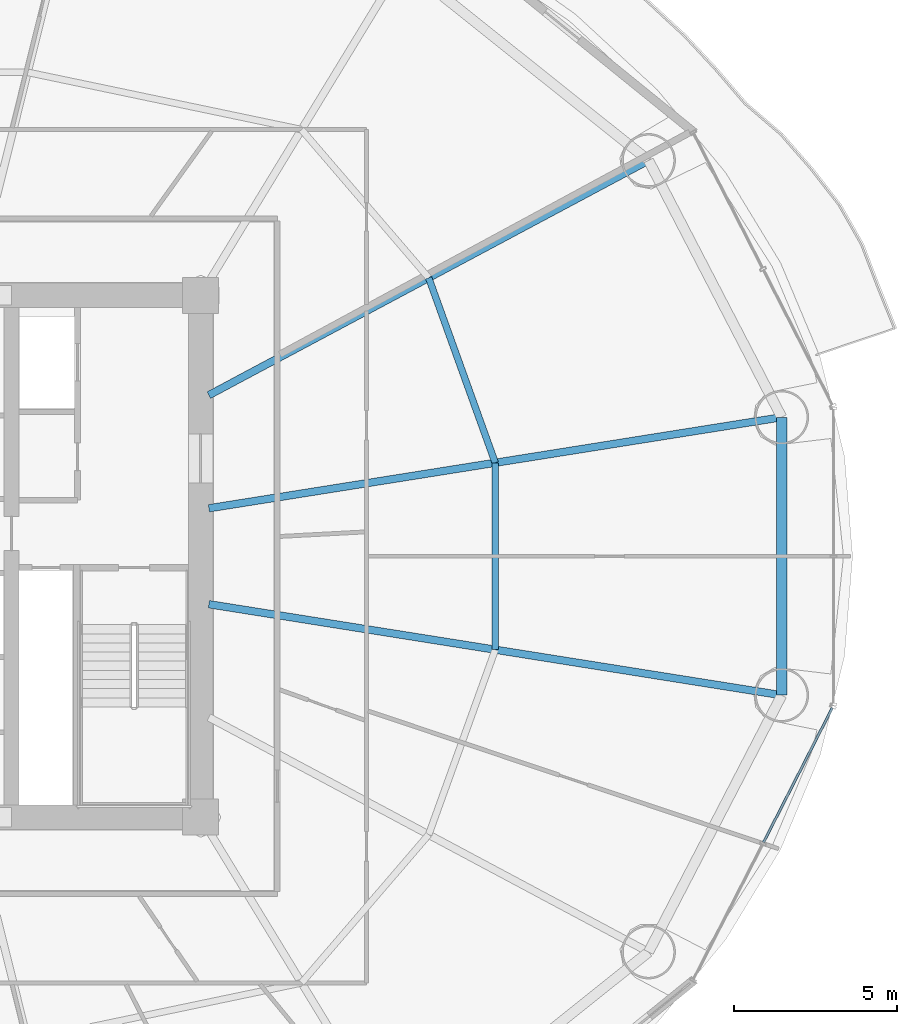
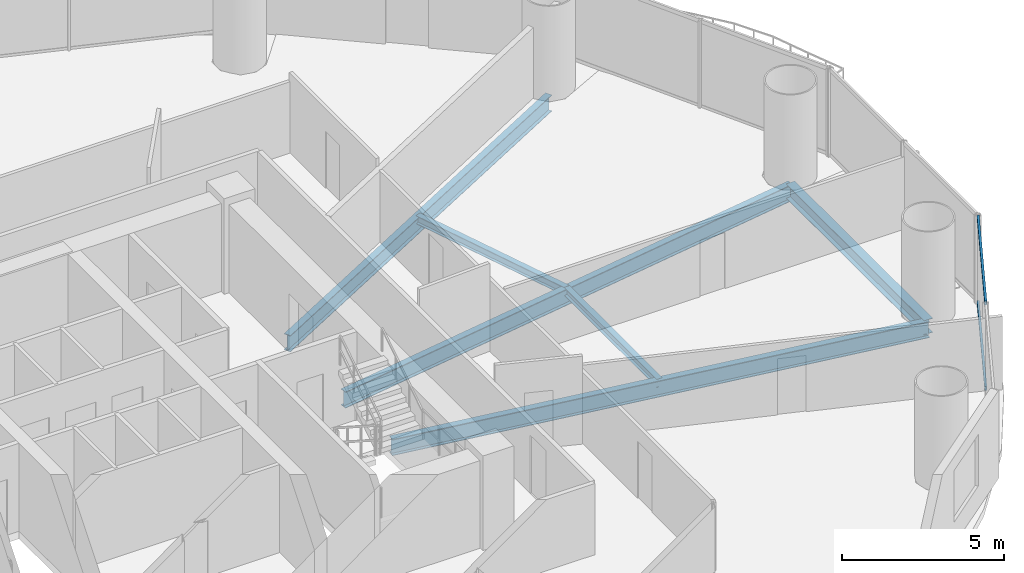
# One storey, part 14 of 30: 6 beams, 2 members, 1 element without a shape of its own.
"""IFC4 building model written with IfcOpenShell, lengths in metres."""

from ifc_helpers import new_model, si_unit, direction, frame, origin, origin_2d, place, context, subcontext, project, spatial, hollow_rectangle, i_section, extrude, source, transform, mapped, material, material_profile, profile_set, type_object, element, aggregate, save


model = new_model("IFC4")

# Units and contexts
model_context = context("Model", 3, precision=1e-05, world=origin(), true_north=direction((-0.2419218956, 0.970295726276)))
body_context = subcontext(model_context, "Body", "Model", "MODEL_VIEW")
ifc_project = project(units=[si_unit("LENGTHUNIT", "METRE"), si_unit("AREAUNIT", "SQUARE_METRE"), si_unit("VOLUMEUNIT", "CUBIC_METRE"), si_unit("PLANEANGLEUNIT", "RADIAN"), si_unit("MASSUNIT", "GRAM", prefix="KILO")], contexts=[model_context])

# Site, building, storey
site_placement = place(None, origin())
site = spatial("IfcSite", under=ifc_project, at=site_placement, CompositionType="ELEMENT")
building_placement = place(site_placement, origin())
building = spatial("IfcBuilding", under=site, at=building_placement, Name="Cobrevalo Terracotta Tower", CompositionType="ELEMENT")
storey_placement = place(building_placement, frame((0.0, 0.0, 63.60009765625)))
storey = spatial("IfcBuildingStorey", under=building, at=storey_placement, Name="L16", CompositionType="ELEMENT", Elevation=63.60009765625)

# Beams
ifc_material_1 = material(Name="Steel S355", Category="steel")
ifc_material_profile_1 = material_profile(ifc_material_1, i_section(OverallWidth=0.22998046875, OverallDepth=0.616943359375, WebThickness=0.01318359375, FlangeThickness=0.022216796875, at=origin_2d()), Name="W 610x140")
ifc_profile_set_1 = profile_set([ifc_material_profile_1], Name="Steel S355")
beam_type_1 = type_object("IfcBeamType", Name="Structural Beam W 610x140 (Steel S355)", PredefinedType="BEAM", material=ifc_profile_set_1)
beam_1_placement = place(storey_placement, frame((64.824462890625, 31.062744140625, -0.588623046875), z_axis=(-0.987607924622, -0.156941349628, 0.0), x_axis=(0.156941349628, -0.987607924622, 0.0)))
element("IfcBeam", 1, at=beam_1_placement, inside=storey, type_object=beam_type_1, Name="L16 radial floor girder 01", PredefinedType="BEAM", context=body_context, shape_type="SweptSolid", body=[
    extrude(i_section(OverallWidth=0.22998046875, OverallDepth=0.616943359375, WebThickness=0.01318359375, FlangeThickness=0.022216796875, at=origin_2d()), origin(), (0.0, 0.0, 1.0), 17.7900390625),
])
beam_2_placement = place(storey_placement, frame((60.74072265625, 38.939208984375, -0.588623046875), z_axis=(-0.88218223571, -0.470908168329, 0.0), x_axis=(0.470908168329, -0.88218223571, 0.0)))
element("IfcBeam", 2, at=beam_2_placement, inside=storey, type_object=beam_type_1, Name="L16 radial floor girder 02", PredefinedType="BEAM", context=body_context, shape_type="SweptSolid", body=[
    extrude(i_section(OverallWidth=0.22998046875, OverallDepth=0.616943359375, WebThickness=0.01318359375, FlangeThickness=0.022216796875, at=origin_2d()), origin(), (0.0, 0.0, 1.0), 15.286865234375),
])
beam_3_placement = place(storey_placement, frame((64.824462890625, 22.537353515625, -0.588623046875), z_axis=(-0.987607924622, 0.156941349628, 0.0), x_axis=(-0.156941349628, -0.987607924622, 0.0)))
element("IfcBeam", 3, at=beam_3_placement, inside=storey, type_object=beam_type_1, Name="L16 radial floor girder 16", PredefinedType="BEAM", context=body_context, shape_type="SweptSolid", body=[
    extrude(i_section(OverallWidth=0.22998046875, OverallDepth=0.616943359375, WebThickness=0.01318359375, FlangeThickness=0.022216796875, at=origin_2d()), origin(), (0.0, 0.0, 1.0), 17.7900390625),
])
ifc_material_profile_2 = material_profile(ifc_material_1, i_section(OverallWidth=0.2041015625, OverallDepth=0.305908203125, WebThickness=0.008544921875, FlangeThickness=0.0146484375, at=origin_2d()), Name="W 310x67")
ifc_profile_set_2 = profile_set([ifc_material_profile_2], Name="Steel S355")
beam_type_2 = type_object("IfcBeamType", Name="Structural Joist W 310x67 (Steel S355)", PredefinedType="JOIST", material=ifc_profile_set_2)
beam_4_placement = place(storey_placement, frame((56.039794921875, 29.666748046875, -0.43310546875), z_axis=(-0.338672151116, 0.940904444701, 0.0), x_axis=(-0.940904444701, -0.338672151116, 0.0)))
element("IfcBeam", 4, at=beam_4_placement, inside=storey, type_object=beam_type_2, Name="L16 circumferential secondary floor joist 01", PredefinedType="JOIST", context=body_context, shape_type="SweptSolid", body=[
    extrude(i_section(OverallWidth=0.2041015625, OverallDepth=0.305908203125, WebThickness=0.008544921875, FlangeThickness=0.0146484375, at=origin_2d()), origin(), (0.0, 0.0, 1.0), 6.029296875),
])
beam_5_placement = place(storey_placement, frame((56.039794921875, 23.933349609375, -0.43310546875), z_axis=(0.0, 1.0, 0.0), x_axis=(-1.0, 0.0, 0.0)))
element("IfcBeam", 5, at=beam_5_placement, inside=storey, type_object=beam_type_2, Name="L16 circumferential secondary floor joist 16", PredefinedType="JOIST", context=body_context, shape_type="SweptSolid", body=[
    extrude(i_section(OverallWidth=0.2041015625, OverallDepth=0.305908203125, WebThickness=0.008544921875, FlangeThickness=0.0146484375, at=origin_2d()), origin(), (0.0, 0.0, 1.0), 5.7333984375),
])
ifc_material_profile_3 = material_profile(ifc_material_1, i_section(OverallWidth=0.31201171875, OverallDepth=0.54296875, WebThickness=0.0126953125, FlangeThickness=0.020263671875, at=origin_2d()), Name="W 530x150")
ifc_profile_set_3 = profile_set([ifc_material_profile_3], Name="Steel S355")
beam_type_3 = type_object("IfcBeamType", Name="Structural Spandrel W 530x150 (Steel S355)", PredefinedType="SPANDREL", material=ifc_profile_set_3)
beam_6_placement = place(storey_placement, frame((64.824462890625, 22.537353515625, -0.551513671875), z_axis=(0.0, 1.0, 0.0), x_axis=(-1.0, 0.0, 0.0)))
element("IfcBeam", 6, at=beam_6_placement, inside=storey, type_object=beam_type_3, Name="L16 perimeter ring spandrel 16", PredefinedType="SPANDREL", context=body_context, shape_type="SweptSolid", body=[
    extrude(i_section(OverallWidth=0.31201171875, OverallDepth=0.54296875, WebThickness=0.0126953125, FlangeThickness=0.020263671875, at=origin_2d()), origin(), (0.0, 0.0, 1.0), 8.525390625),
])

# Curtain wall, members
ifc_material_2 = material(Name="Anodized aluminium", Category="aluminium")
curtain_wall_type = type_object("IfcCurtainWallType", Name="Lower-tower unitised acoustic low-E curtain wall CW-U1", PredefinedType="NOTDEFINED", material=ifc_material_2)
curtain_wall_placement = place(storey_placement, origin())
curtain_wall = element("IfcCurtainWall", 7, at=curtain_wall_placement, inside=storey, type_object=curtain_wall_type, Name="L16 curtain wall CW-L16-S15", PredefinedType="NOTDEFINED")
ifc_material_profile_4 = material_profile(ifc_material_2, hollow_rectangle(XDim=0.074951171875, YDim=0.14990234375, WallThickness=0.00439453125, at=origin_2d()), Name="CWT 75x150")
ifc_profile_set_4 = profile_set([ifc_material_profile_4], Name="Anodized aluminium")
member_type = type_object("IfcMemberType", Name="Tower unitised aluminium transom 75x150", PredefinedType="USERDEFINED", material=ifc_profile_set_4)
shared_shape = source(origin(), body_context, "Body", "SweptSolid", [
    extrude(hollow_rectangle(XDim=0.074951171875, YDim=0.14990234375, WallThickness=0.00439453125, at=origin_2d()), origin(), (0.0, 0.0, 1.0), 4.630859375),
])
member_1_placement = place(storey_placement, frame((64.268798828125, 18.026611328125, 0.0498046875), z_axis=(0.455229952508, 0.890373904795, 0.0), x_axis=(-0.890373904795, 0.455229952508, 0.0)))
member_1 = element("IfcMember", 8, at=member_1_placement, type_object=member_type, Name="CW-L16-S15 transom B02-T1", ObjectType="TRANSOM", PredefinedType="USERDEFINED", context=body_context, shape_type="MappedRepresentation", body=[
    mapped(shared_shape, transform((0.0, 0.0, 0.0), scale=1.0)),
])
member_2_placement = place(storey_placement, frame((64.268798828125, 18.026611328125, 3.27001953125), z_axis=(0.455229952508, 0.890373904795, 0.0), x_axis=(-0.890373904795, 0.455229952508, 0.0)))
member_2 = element("IfcMember", 9, at=member_2_placement, type_object=member_type, Name="CW-L16-S15 transom B02-T2", ObjectType="TRANSOM", PredefinedType="USERDEFINED", context=body_context, shape_type="MappedRepresentation", body=[
    mapped(shared_shape, transform((0.0, 0.0, 0.0), scale=1.0)),
])
aggregate(curtain_wall, [member_1, member_2])

save(model, "model.ifc")
